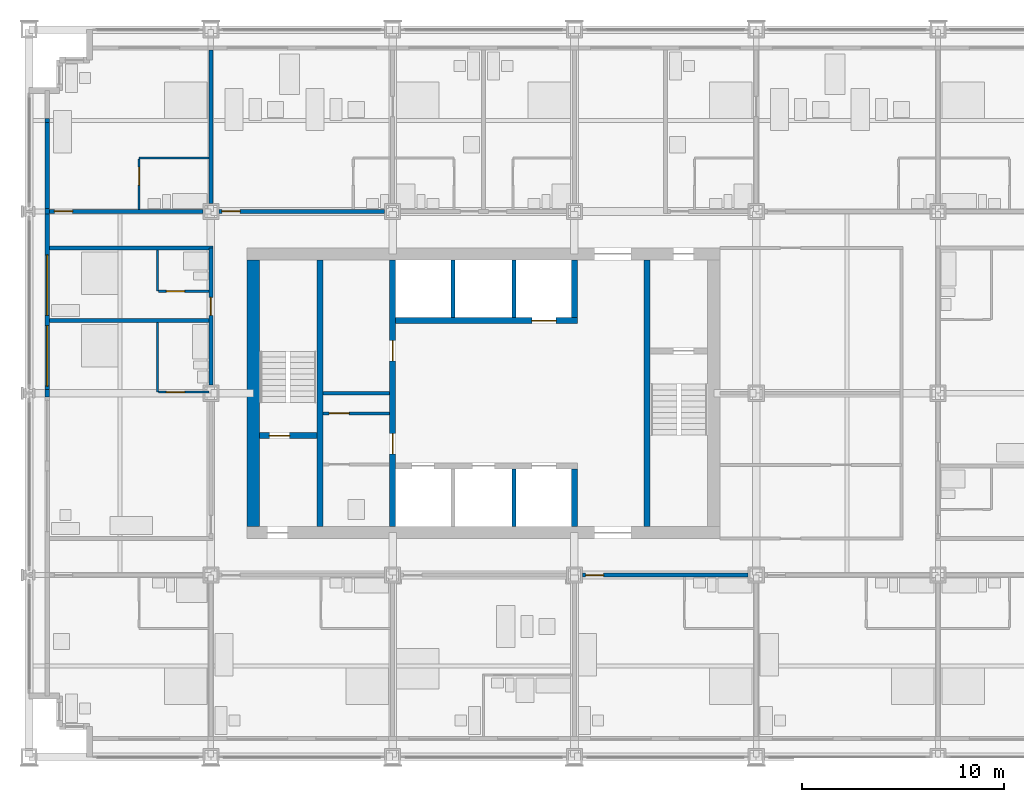
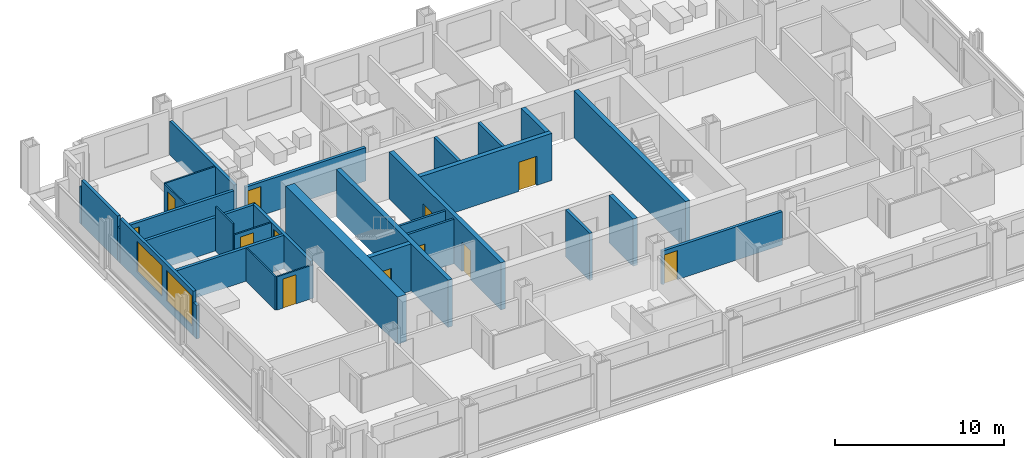
# One storey, part 11 of 18: 31 walls, 12 doors, 2 windows, 14 openings.
"""IFC4 building model written with IfcOpenShell, lengths in metres."""

from ifc_helpers import new_model, si_unit, direction, frame, frame_2d, origin, place, context, subcontext, project, spatial, rectangle, extrude, material, layer, layer_set, type_object, element, fill, save


model = new_model("IFC4")

# Units and contexts
model_context = context("Model", 3, precision=1e-05, world=origin(), true_north=direction((0.0, 1.0)))
body_context = subcontext(model_context, "Body", "Model", "MODEL_VIEW")
ifc_project = project(units=[si_unit("LENGTHUNIT", "METRE"), si_unit("AREAUNIT", "SQUARE_METRE"), si_unit("VOLUMEUNIT", "CUBIC_METRE"), si_unit("PLANEANGLEUNIT", "RADIAN"), si_unit("MASSUNIT", "GRAM", prefix="KILO")], contexts=[model_context])

# Site, building, storey
site_placement = place(None, origin())
site = spatial("IfcSite", under=ifc_project, at=site_placement, CompositionType="ELEMENT")
building_placement = place(site_placement, origin())
building = spatial("IfcBuilding", under=site, at=building_placement, Name="Loomwork Tower", CompositionType="ELEMENT")
storey_placement = place(building_placement, frame((0.0, 0.0, 48.39990234375)))
storey = spatial("IfcBuildingStorey", under=building, at=storey_placement, Name="L11", CompositionType="ELEMENT", Elevation=48.39990234375)

# Wall
ifc_material_1 = material(Name="Concrete 14000 psi (97 MPa)", Category="concrete")
ifc_layer_1 = layer(ifc_material_1, 0.300048828125)
ifc_layer_set_1 = layer_set([ifc_layer_1], Name="Core shear wall 300")
wall_type_1 = type_object("IfcWallType", Name="Core shear wall 300", PredefinedType="SHEAR", material=ifc_layer_set_1)
wall_1_placement = place(storey_placement, frame((14.39990234375, 11.39990234375, 0.0), z_axis=(0.0, 0.0, 1.0), x_axis=(0.0, 1.0, 0.0)))
element("IfcWall", 1, at=wall_1_placement, inside=storey, type_object=wall_type_1, Name="Stair A east wall L11", PredefinedType="SHEAR", context=body_context, shape_type="SweptSolid", body=[
    extrude(rectangle(XDim=13.2001953125, YDim=0.300048828125, at=frame_2d((6.60009765625, 0.0))), origin(), (0.0, 0.0, 1.0), 3.400146484375),
])

# Wall, opening, door
wall_2_placement = place(storey_placement, frame((11.39990234375, 15.89990234375, 0.0), z_axis=(0.0, 0.0, 1.0), x_axis=(1.0, 0.0, 0.0)))
wall_2 = element("IfcWall", 2, at=wall_2_placement, inside=storey, type_object=wall_type_1, Name="Stair A south wall L11", PredefinedType="SHEAR", context=body_context, shape_type="SweptSolid", body=[
    extrude(rectangle(XDim=2.85009765625, YDim=0.300048828125, at=frame_2d((1.425048828125, 0.0))), origin(), (0.0, 0.0, 1.0), 3.400146484375),
])
opening_1_placement = place(wall_2_placement, frame((0.5, 0.0, 0.0)))
opening_1 = element("IfcOpeningElement", 3, at=opening_1_placement, cuts=wall_2, Name="Opening D4", PredefinedType="OPENING", context=body_context, shape_type="SweptSolid", body=[
    extrude(rectangle(XDim=1.0, YDim=2.10009765625, at=frame_2d((0.5, 1.050048828125))), frame((0.0, 0.159912109375, 0.0), z_axis=(0.0, -1.0, 0.0), x_axis=(1.0, 0.0, 0.0)), (0.0, 0.0, 1.0), 0.320068359375),
])
ifc_material_2 = material(Name="Hollow metal door and frame")
door_type_1 = type_object("IfcDoorType", Name="Stair door 1000", OperationType="SINGLE_SWING_RIGHT", PredefinedType="DOOR", material=ifc_material_2)
door_1_placement = place(opening_1_placement, origin())
door_1 = element("IfcDoor", 4, at=door_1_placement, inside=storey, type_object=door_type_1, Name="Stair A door", OperationType="SINGLE_SWING_LEFT", OverallHeight=2.10009765625, OverallWidth=1.0, PredefinedType="DOOR", context=body_context, shape_type="SweptSolid", body=[
    extrude(rectangle(XDim=1.0, YDim=2.10009765625, at=frame_2d((0.5, 1.050048828125))), frame((0.0, 0.02490234375, 0.0), z_axis=(0.0, -1.0, 0.0), x_axis=(1.0, 0.0, 0.0)), (0.0, 0.0, 1.0), 0.050048828125),
])
fill(opening_1, door_1)

# Wall, openings, doors
wall_3_placement = place(storey_placement, frame((18.0, 11.39990234375, 0.0), z_axis=(0.0, 0.0, 1.0), x_axis=(0.0, 1.0, 0.0)))
wall_3 = element("IfcWall", 5, at=wall_3_placement, inside=storey, type_object=wall_type_1, Name="Lobby west wall L11", PredefinedType="SHEAR", context=body_context, shape_type="SweptSolid", body=[
    extrude(rectangle(XDim=13.2001953125, YDim=0.300048828125, at=frame_2d((6.60009765625, 0.0))), origin(), (0.0, 0.0, 1.0), 3.400146484375),
])
opening_2_placement = place(wall_3_placement, frame((3.60009765625, 0.0, 0.0)))
opening_2 = element("IfcOpeningElement", 6, at=opening_2_placement, cuts=wall_3, Name="Opening D5", PredefinedType="OPENING", context=body_context, shape_type="SweptSolid", body=[
    extrude(rectangle(XDim=1.0, YDim=2.10009765625, at=frame_2d((0.5, 1.050048828125))), frame((0.0, 0.159912109375, 0.0), z_axis=(0.0, -1.0, 0.0), x_axis=(1.0, 0.0, 0.0)), (0.0, 0.0, 1.0), 0.320068359375),
])
opening_3_placement = place(wall_3_placement, frame((8.199951171875, 0.0, 0.0)))
opening_3 = element("IfcOpeningElement", 7, at=opening_3_placement, cuts=wall_3, Name="Opening D5", PredefinedType="OPENING", context=body_context, shape_type="SweptSolid", body=[
    extrude(rectangle(XDim=1.0, YDim=2.10009765625, at=frame_2d((0.5, 1.050048828125))), frame((0.0, 0.159912109375, 0.0), z_axis=(0.0, -1.0, 0.0), x_axis=(1.0, 0.0, 0.0)), (0.0, 0.0, 1.0), 0.320068359375),
])
ifc_material_3 = material(Name="Hollow metal door and frame")
door_type_2 = type_object("IfcDoorType", Name="Service door 1000", OperationType="SINGLE_SWING_LEFT", PredefinedType="DOOR", material=ifc_material_3)
door_2_placement = place(opening_2_placement, origin())
door_2 = element("IfcDoor", 8, at=door_2_placement, inside=storey, type_object=door_type_2, Name="Back-of-house door south", OperationType="SINGLE_SWING_LEFT", OverallHeight=2.10009765625, OverallWidth=1.0, PredefinedType="DOOR", context=body_context, shape_type="SweptSolid", body=[
    extrude(rectangle(XDim=1.0, YDim=2.10009765625, at=frame_2d((0.5, 1.050048828125))), frame((0.0, 0.02490234375, 0.0), z_axis=(0.0, -1.0, 0.0), x_axis=(1.0, 0.0, 0.0)), (0.0, 0.0, 1.0), 0.050048828125),
])
fill(opening_2, door_2)
door_3_placement = place(opening_3_placement, origin())
door_3 = element("IfcDoor", 9, at=door_3_placement, inside=storey, type_object=door_type_2, Name="Back-of-house door north", OperationType="SINGLE_SWING_RIGHT", OverallHeight=2.10009765625, OverallWidth=1.0, PredefinedType="DOOR", context=body_context, shape_type="SweptSolid", body=[
    extrude(rectangle(XDim=1.0, YDim=2.10009765625, at=frame_2d((0.5, 1.050048828125))), frame((0.0, 0.02490234375, 0.0), z_axis=(0.0, -1.0, 0.0), x_axis=(1.0, 0.0, 0.0)), (0.0, 0.0, 1.0), 0.050048828125),
])
fill(opening_3, door_3)

# Wall
wall_4_placement = place(storey_placement, frame((27.0, 11.39990234375, 0.0), z_axis=(0.0, 0.0, 1.0), x_axis=(0.0, 1.0, 0.0)))
element("IfcWall", 10, at=wall_4_placement, inside=storey, type_object=wall_type_1, Name="Lift shaft end wall south L11", PredefinedType="SHEAR", context=body_context, shape_type="SweptSolid", body=[
    extrude(rectangle(XDim=2.85009765625, YDim=0.300048828125, at=frame_2d((1.425048828125, 0.0))), origin(), (0.0, 0.0, 1.0), 3.400146484375),
])

# Wall, opening, door
wall_5_placement = place(storey_placement, frame((18.14990234375, 21.60009765625, 0.0), z_axis=(0.0, 0.0, 1.0), x_axis=(1.0, 0.0, 0.0)))
wall_5 = element("IfcWall", 11, at=wall_5_placement, inside=storey, type_object=wall_type_1, Name="Lift front wall north L11", PredefinedType="SHEAR", context=body_context, shape_type="SweptSolid", body=[
    extrude(rectangle(XDim=9.0, YDim=0.300048828125, at=frame_2d((4.5, 0.0))), origin(), (0.0, 0.0, 1.0), 3.400146484375),
])
opening_4_placement = place(wall_5_placement, frame((6.75, 0.0, 0.0)))
opening_4 = element("IfcOpeningElement", 12, at=opening_4_placement, cuts=wall_5, Name="Opening LD2", PredefinedType="OPENING", context=body_context, shape_type="SweptSolid", body=[
    extrude(rectangle(XDim=1.199951171875, YDim=2.10009765625, at=frame_2d((0.60009765625, 1.050048828125))), frame((0.0, 0.159912109375, 0.0), z_axis=(0.0, -1.0, 0.0), x_axis=(1.0, 0.0, 0.0)), (0.0, 0.0, 1.0), 0.320068359375),
])
ifc_material_4 = material(Name="Hollow metal door and frame")
door_type_3 = type_object("IfcDoorType", Name="Lift landing door 1200", OperationType="SLIDING_TO_LEFT", PredefinedType="DOOR", material=ifc_material_4)
door_4_placement = place(opening_4_placement, origin())
door_4 = element("IfcDoor", 13, at=door_4_placement, inside=storey, type_object=door_type_3, Name="Lift landing door LF2", OperationType="SLIDING_TO_LEFT", OverallHeight=2.10009765625, OverallWidth=1.199951171875, PredefinedType="DOOR", context=body_context, shape_type="SweptSolid", body=[
    extrude(rectangle(XDim=1.199951171875, YDim=2.10009765625, at=frame_2d((0.60009765625, 1.050048828125))), frame((0.0, 0.02490234375, 0.0), z_axis=(0.0, -1.0, 0.0), x_axis=(1.0, 0.0, 0.0)), (0.0, 0.0, 1.0), 0.050048828125),
])
fill(opening_4, door_4)

# Walls
wall_6_placement = place(storey_placement, frame((27.0, 21.75, 0.0), z_axis=(0.0, 0.0, 1.0), x_axis=(0.0, 1.0, 0.0)))
element("IfcWall", 14, at=wall_6_placement, inside=storey, type_object=wall_type_1, Name="Lift shaft end wall north L11", PredefinedType="SHEAR", context=body_context, shape_type="SweptSolid", body=[
    extrude(rectangle(XDim=2.85009765625, YDim=0.300048828125, at=frame_2d((1.425048828125, 0.0))), origin(), (0.0, 0.0, 1.0), 3.400146484375),
])
wall_7_placement = place(storey_placement, frame((30.60009765625, 11.39990234375, 0.0), z_axis=(0.0, 0.0, 1.0), x_axis=(0.0, 1.0, 0.0)))
element("IfcWall", 15, at=wall_7_placement, inside=storey, type_object=wall_type_1, Name="Stair B west wall L11", PredefinedType="SHEAR", context=body_context, shape_type="SweptSolid", body=[
    extrude(rectangle(XDim=13.2001953125, YDim=0.300048828125, at=frame_2d((6.60009765625, 0.0))), origin(), (0.0, 0.0, 1.0), 3.400146484375),
])
ifc_material_5 = material(Name="Concrete 14000 psi (97 MPa)", Category="concrete")
ifc_layer_2 = layer(ifc_material_5, 0.60009765625)
ifc_layer_set_2 = layer_set([ifc_layer_2], Name="Core shear wall 600")
wall_type_2 = type_object("IfcWallType", Name="Core shear wall 600", PredefinedType="SHEAR", material=ifc_layer_set_2)
wall_8_placement = place(storey_placement, frame((11.10009765625, 11.39990234375, 0.0), z_axis=(0.0, 0.0, 1.0), x_axis=(0.0, 1.0, 0.0)))
element("IfcWall", 16, at=wall_8_placement, inside=storey, type_object=wall_type_2, Name="Core wall west L11", PredefinedType="SHEAR", context=body_context, shape_type="SweptSolid", body=[
    extrude(rectangle(XDim=13.2001953125, YDim=0.60009765625, at=frame_2d((6.60009765625, 0.0))), origin(), (0.0, 0.0, 1.0), 3.400146484375),
])

# Wall, opening, door
ifc_material_6 = material(Name="Gypsum board on steel studs, one-hour", Category="steel")
ifc_layer_3 = layer(ifc_material_6, 0.199951171875)
ifc_layer_set_3 = layer_set([ifc_layer_3], Name="Corridor wall 200")
wall_type_3 = type_object("IfcWallType", Name="Corridor wall 200", PredefinedType="PARTITIONING", material=ifc_layer_set_3)
wall_9_placement = place(storey_placement, frame((27.39990234375, 9.0, 0.0), z_axis=(0.0, 0.0, 1.0), x_axis=(1.0, 0.0, 0.0)))
wall_9 = element("IfcWall", 17, at=wall_9_placement, inside=storey, type_object=wall_type_3, Name="South corridor wall 4", PredefinedType="PARTITIONING", context=body_context, shape_type="SweptSolid", body=[
    extrude(rectangle(XDim=8.2001953125, YDim=0.199951171875, at=frame_2d((4.10009765625, 0.0))), origin(), (0.0, 0.0, 1.0), 2.405029296875),
])
opening_5_placement = place(wall_9_placement, frame((0.14990234375, 0.0, 0.0)))
opening_5 = element("IfcOpeningElement", 18, at=opening_5_placement, cuts=wall_9, Name="Opening D1", PredefinedType="OPENING", context=body_context, shape_type="SweptSolid", body=[
    extrude(rectangle(XDim=0.89990234375, YDim=2.10009765625, at=frame_2d((0.449951171875, 1.050048828125))), frame((0.0, 0.10986328125, 0.0), z_axis=(0.0, -1.0, 0.0), x_axis=(1.0, 0.0, 0.0)), (0.0, 0.0, 1.0), 0.219970703125),
])
ifc_material_7 = material(Name="Hollow metal door and frame")
door_type_4 = type_object("IfcDoorType", Name="Guest room entry door 900", OperationType="SINGLE_SWING_LEFT", PredefinedType="DOOR", material=ifc_material_7)
door_5_placement = place(opening_5_placement, frame((0.89990234375, 0.0, 0.0), z_axis=(0.0, 0.0, 1.0), x_axis=(-1.0, 0.0, 0.0)))
door_5 = element("IfcDoor", 19, at=door_5_placement, inside=storey, type_object=door_type_4, Name="Guest room entry door L11 4", OperationType="SINGLE_SWING_RIGHT", OverallHeight=2.10009765625, OverallWidth=0.89990234375, PredefinedType="DOOR", context=body_context, shape_type="SweptSolid", body=[
    extrude(rectangle(XDim=0.89990234375, YDim=2.10009765625, at=frame_2d((0.449951171875, 1.050048828125))), frame((0.0, 0.02490234375, 0.0), z_axis=(0.0, -1.0, 0.0), x_axis=(1.0, 0.0, 0.0)), (0.0, 0.0, 1.0), 0.050048828125),
])
fill(opening_5, door_5)

wall_10_placement = place(storey_placement, frame((1.0, 27.0, 0.0), z_axis=(0.0, 0.0, 1.0), x_axis=(1.0, 0.0, 0.0)))
wall_10 = element("IfcWall", 20, at=wall_10_placement, inside=storey, type_object=wall_type_3, Name="North corridor wall 1", PredefinedType="PARTITIONING", context=body_context, shape_type="SweptSolid", body=[
    extrude(rectangle(XDim=7.60009765625, YDim=0.199951171875, at=frame_2d((3.800048828125, 0.0))), origin(), (0.0, 0.0, 1.0), 2.43798828125),
])
opening_6_placement = place(wall_10_placement, frame((0.25, 0.0, 0.0)))
opening_6 = element("IfcOpeningElement", 21, at=opening_6_placement, cuts=wall_10, Name="Opening D1", PredefinedType="OPENING", context=body_context, shape_type="SweptSolid", body=[
    extrude(rectangle(XDim=0.89990234375, YDim=2.10009765625, at=frame_2d((0.449951171875, 1.050048828125))), frame((0.0, 0.10986328125, 0.0), z_axis=(0.0, -1.0, 0.0), x_axis=(1.0, 0.0, 0.0)), (0.0, 0.0, 1.0), 0.219970703125),
])
door_6_placement = place(opening_6_placement, origin())
door_6 = element("IfcDoor", 22, at=door_6_placement, inside=storey, type_object=door_type_4, Name="Guest room entry door L11 7", OperationType="SINGLE_SWING_LEFT", OverallHeight=2.10009765625, OverallWidth=0.89990234375, PredefinedType="DOOR", context=body_context, shape_type="SweptSolid", body=[
    extrude(rectangle(XDim=0.89990234375, YDim=2.10009765625, at=frame_2d((0.449951171875, 1.050048828125))), frame((0.0, 0.02490234375, 0.0), z_axis=(0.0, -1.0, 0.0), x_axis=(1.0, 0.0, 0.0)), (0.0, 0.0, 1.0), 0.050048828125),
])
fill(opening_6, door_6)

wall_11_placement = place(storey_placement, frame((9.39990234375, 27.0, 0.0), z_axis=(0.0, 0.0, 1.0), x_axis=(1.0, 0.0, 0.0)))
wall_11 = element("IfcWall", 23, at=wall_11_placement, inside=storey, type_object=wall_type_3, Name="North corridor wall 2", PredefinedType="PARTITIONING", context=body_context, shape_type="SweptSolid", body=[
    extrude(rectangle(XDim=8.2001953125, YDim=0.199951171875, at=frame_2d((4.10009765625, 0.0))), origin(), (0.0, 0.0, 1.0), 2.405029296875),
])
opening_7_placement = place(wall_11_placement, frame((0.14990234375, 0.0, 0.0)))
opening_7 = element("IfcOpeningElement", 24, at=opening_7_placement, cuts=wall_11, Name="Opening D1", PredefinedType="OPENING", context=body_context, shape_type="SweptSolid", body=[
    extrude(rectangle(XDim=0.89990234375, YDim=2.10009765625, at=frame_2d((0.449951171875, 1.050048828125))), frame((0.0, 0.10986328125, 0.0), z_axis=(0.0, -1.0, 0.0), x_axis=(1.0, 0.0, 0.0)), (0.0, 0.0, 1.0), 0.219970703125),
])
door_7_placement = place(opening_7_placement, origin())
door_7 = element("IfcDoor", 25, at=door_7_placement, inside=storey, type_object=door_type_4, Name="Guest room entry door L11 8", OperationType="SINGLE_SWING_LEFT", OverallHeight=2.10009765625, OverallWidth=0.89990234375, PredefinedType="DOOR", context=body_context, shape_type="SweptSolid", body=[
    extrude(rectangle(XDim=0.89990234375, YDim=2.10009765625, at=frame_2d((0.449951171875, 1.050048828125))), frame((0.0, 0.02490234375, 0.0), z_axis=(0.0, -1.0, 0.0), x_axis=(1.0, 0.0, 0.0)), (0.0, 0.0, 1.0), 0.050048828125),
])
fill(opening_7, door_7)

wall_12_placement = place(storey_placement, frame((9.0, 18.39990234375, 0.0), z_axis=(0.0, 0.0, 1.0), x_axis=(0.0, 1.0, 0.0)))
wall_12 = element("IfcWall", 26, at=wall_12_placement, inside=storey, type_object=wall_type_3, Name="West corridor wall 2", PredefinedType="PARTITIONING", context=body_context, shape_type="SweptSolid", body=[
    extrude(rectangle(XDim=6.800048828125, YDim=0.199951171875, at=frame_2d((3.39990234375, 0.0))), origin(), (0.0, 0.0, 1.0), 2.405029296875),
])
opening_8_placement = place(wall_12_placement, frame((3.449951171875, 0.0, 0.0)))
opening_8 = element("IfcOpeningElement", 27, at=opening_8_placement, cuts=wall_12, Name="Opening D1", PredefinedType="OPENING", context=body_context, shape_type="SweptSolid", body=[
    extrude(rectangle(XDim=0.89990234375, YDim=2.10009765625, at=frame_2d((0.449951171875, 1.050048828125))), frame((0.0, 0.10986328125, 0.0), z_axis=(0.0, -1.0, 0.0), x_axis=(1.0, 0.0, 0.0)), (0.0, 0.0, 1.0), 0.219970703125),
])
door_8_placement = place(opening_8_placement, origin())
door_8 = element("IfcDoor", 28, at=door_8_placement, inside=storey, type_object=door_type_4, Name="Guest room entry door L11 15", OperationType="SINGLE_SWING_LEFT", OverallHeight=2.10009765625, OverallWidth=0.89990234375, PredefinedType="DOOR", context=body_context, shape_type="SweptSolid", body=[
    extrude(rectangle(XDim=0.89990234375, YDim=2.10009765625, at=frame_2d((0.449951171875, 1.050048828125))), frame((0.0, 0.02490234375, 0.0), z_axis=(0.0, -1.0, 0.0), x_axis=(1.0, 0.0, 0.0)), (0.0, 0.0, 1.0), 0.050048828125),
])
fill(opening_8, door_8)

# Walls
wall_13_placement = place(storey_placement, frame((1.0, 25.199951171875, 0.0), z_axis=(0.0, 0.0, 1.0), x_axis=(1.0, 0.0, 0.0)))
element("IfcWall", 29, at=wall_13_placement, inside=storey, type_object=wall_type_3, Name="West band end wall N", PredefinedType="PARTITIONING", context=body_context, shape_type="SweptSolid", body=[
    extrude(rectangle(XDim=8.10009765625, YDim=0.199951171875, at=frame_2d((4.050048828125, 0.0))), origin(), (0.0, 0.0, 1.0), 2.404052734375),
])
ifc_material_8 = material(Name="Cement board on steel studs", Category="steel")
ifc_layer_4 = layer(ifc_material_8, 0.10009765625)
ifc_layer_set_4 = layer_set([ifc_layer_4], Name="En-suite partition 100")
wall_type_4 = type_object("IfcWallType", Name="En-suite partition 100", PredefinedType="PARTITIONING", material=ifc_layer_set_4)
wall_14_placement = place(storey_placement, frame((5.449951171875, 29.64990234375, 0.0), z_axis=(0.0, 0.0, 1.0), x_axis=(1.0, 0.0, 0.0)))
element("IfcWall", 30, at=wall_14_placement, inside=storey, type_object=wall_type_4, Name="En-suite wall L11 room 7", PredefinedType="PARTITIONING", context=body_context, shape_type="SweptSolid", body=[
    extrude(rectangle(XDim=3.449951171875, YDim=0.10009765625, at=frame_2d((1.72509765625, 0.0))), origin(), (0.0, 0.0, 1.0), 2.43798828125),
])

# Wall, opening, door
wall_15_placement = place(storey_placement, frame((5.449951171875, 27.10009765625, 0.0), z_axis=(0.0, 0.0, 1.0), x_axis=(0.0, 1.0, 0.0)))
wall_15 = element("IfcWall", 31, at=wall_15_placement, inside=storey, type_object=wall_type_4, Name="En-suite side wall L11 room 7", PredefinedType="PARTITIONING", context=body_context, shape_type="SweptSolid", body=[
    extrude(rectangle(XDim=2.5, YDim=0.10009765625, at=frame_2d((1.25, 0.0))), origin(), (0.0, 0.0, 1.0), 2.43798828125),
])
opening_9_placement = place(wall_15_placement, frame((1.199951171875, 0.0, 0.0)))
opening_9 = element("IfcOpeningElement", 32, at=opening_9_placement, cuts=wall_15, Name="Opening D2", PredefinedType="OPENING", context=body_context, shape_type="SweptSolid", body=[
    extrude(rectangle(XDim=0.89990234375, YDim=2.10009765625, at=frame_2d((0.449951171875, 1.050048828125))), frame((0.0, 0.06005859375, 0.0), z_axis=(0.0, -1.0, 0.0), x_axis=(1.0, 0.0, 0.0)), (0.0, 0.0, 1.0), 0.1201171875),
])
ifc_material_9 = material(Name="Hollow metal door and frame")
door_type_5 = type_object("IfcDoorType", Name="En-suite door 900", OperationType="SINGLE_SWING_LEFT", PredefinedType="DOOR", material=ifc_material_9)
door_9_placement = place(opening_9_placement, frame((0.89990234375, 0.0, 0.0), z_axis=(0.0, 0.0, 1.0), x_axis=(-1.0, 0.0, 0.0)))
door_9 = element("IfcDoor", 33, at=door_9_placement, inside=storey, type_object=door_type_5, Name="En-suite door room 7", OperationType="SINGLE_SWING_LEFT", OverallHeight=2.10009765625, OverallWidth=0.89990234375, PredefinedType="DOOR", context=body_context, shape_type="SweptSolid", body=[
    extrude(rectangle(XDim=0.89990234375, YDim=2.10009765625, at=frame_2d((0.449951171875, 1.050048828125))), frame((0.0, 0.02490234375, 0.0), z_axis=(0.0, -1.0, 0.0), x_axis=(1.0, 0.0, 0.0)), (0.0, 0.0, 1.0), 0.050048828125),
])
fill(opening_9, door_9)

# Wall
wall_16_placement = place(storey_placement, frame((6.35009765625, 18.050048828125, 0.0), z_axis=(0.0, 0.0, 1.0), x_axis=(0.0, 1.0, 0.0)))
element("IfcWall", 34, at=wall_16_placement, inside=storey, type_object=wall_type_4, Name="En-suite wall L11 room 14", PredefinedType="PARTITIONING", context=body_context, shape_type="SweptSolid", body=[
    extrude(rectangle(XDim=3.449951171875, YDim=0.10009765625, at=frame_2d((1.72509765625, 0.0))), origin(), (0.0, 0.0, 1.0), 2.404052734375),
])

# Wall, opening, door
wall_17_placement = place(storey_placement, frame((8.89990234375, 18.050048828125, 0.0), z_axis=(0.0, 0.0, 1.0), x_axis=(-1.0, 0.0, 0.0)))
wall_17 = element("IfcWall", 35, at=wall_17_placement, inside=storey, type_object=wall_type_4, Name="En-suite side wall L11 room 14", PredefinedType="PARTITIONING", context=body_context, shape_type="SweptSolid", body=[
    extrude(rectangle(XDim=2.5, YDim=0.10009765625, at=frame_2d((1.25, 0.0))), origin(), (0.0, 0.0, 1.0), 2.405029296875),
])
opening_10_placement = place(wall_17_placement, frame((1.199951171875, 0.0, 0.0)))
opening_10 = element("IfcOpeningElement", 36, at=opening_10_placement, cuts=wall_17, Name="Opening D2", PredefinedType="OPENING", context=body_context, shape_type="SweptSolid", body=[
    extrude(rectangle(XDim=0.89990234375, YDim=2.10009765625, at=frame_2d((0.449951171875, 1.050048828125))), frame((0.0, 0.06005859375, 0.0), z_axis=(0.0, -1.0, 0.0), x_axis=(1.0, 0.0, 0.0)), (0.0, 0.0, 1.0), 0.1201171875),
])
door_10_placement = place(opening_10_placement, frame((0.89990234375, 0.0, 0.0), z_axis=(0.0, 0.0, 1.0), x_axis=(-1.0, 0.0, 0.0)))
door_10 = element("IfcDoor", 37, at=door_10_placement, inside=storey, type_object=door_type_5, Name="En-suite door room 14", OperationType="SINGLE_SWING_LEFT", OverallHeight=2.10009765625, OverallWidth=0.89990234375, PredefinedType="DOOR", context=body_context, shape_type="SweptSolid", body=[
    extrude(rectangle(XDim=0.89990234375, YDim=2.10009765625, at=frame_2d((0.449951171875, 1.050048828125))), frame((0.0, 0.02490234375, 0.0), z_axis=(0.0, -1.0, 0.0), x_axis=(1.0, 0.0, 0.0)), (0.0, 0.0, 1.0), 0.050048828125),
])
fill(opening_10, door_10)

# Wall
wall_18_placement = place(storey_placement, frame((6.35009765625, 23.050048828125, 0.0), z_axis=(0.0, 0.0, 1.0), x_axis=(0.0, 1.0, 0.0)))
element("IfcWall", 38, at=wall_18_placement, inside=storey, type_object=wall_type_4, Name="En-suite wall L11 room 15", PredefinedType="PARTITIONING", context=body_context, shape_type="SweptSolid", body=[
    extrude(rectangle(XDim=2.050048828125, YDim=0.10009765625, at=frame_2d((1.02490234375, 0.0))), origin(), (0.0, 0.0, 1.0), 3.2001953125),
])

# Wall, opening, door
wall_19_placement = place(storey_placement, frame((8.89990234375, 23.050048828125, 0.0), z_axis=(0.0, 0.0, 1.0), x_axis=(-1.0, 0.0, 0.0)))
wall_19 = element("IfcWall", 39, at=wall_19_placement, inside=storey, type_object=wall_type_4, Name="En-suite side wall L11 room 15", PredefinedType="PARTITIONING", context=body_context, shape_type="SweptSolid", body=[
    extrude(rectangle(XDim=2.5, YDim=0.10009765625, at=frame_2d((1.25, 0.0))), origin(), (0.0, 0.0, 1.0), 2.404052734375),
])
opening_11_placement = place(wall_19_placement, frame((1.199951171875, 0.0, 0.0)))
opening_11 = element("IfcOpeningElement", 40, at=opening_11_placement, cuts=wall_19, Name="Opening D2", PredefinedType="OPENING", context=body_context, shape_type="SweptSolid", body=[
    extrude(rectangle(XDim=0.89990234375, YDim=2.10009765625, at=frame_2d((0.449951171875, 1.050048828125))), frame((0.0, 0.06005859375, 0.0), z_axis=(0.0, -1.0, 0.0), x_axis=(1.0, 0.0, 0.0)), (0.0, 0.0, 1.0), 0.1201171875),
])
door_11_placement = place(opening_11_placement, frame((0.89990234375, 0.0, 0.0), z_axis=(0.0, 0.0, 1.0), x_axis=(-1.0, 0.0, 0.0)))
door_11 = element("IfcDoor", 41, at=door_11_placement, inside=storey, type_object=door_type_5, Name="En-suite door room 15", OperationType="SINGLE_SWING_LEFT", OverallHeight=2.10009765625, OverallWidth=0.89990234375, PredefinedType="DOOR", context=body_context, shape_type="SweptSolid", body=[
    extrude(rectangle(XDim=0.89990234375, YDim=2.10009765625, at=frame_2d((0.449951171875, 1.050048828125))), frame((0.0, 0.02490234375, 0.0), z_axis=(0.0, -1.0, 0.0), x_axis=(1.0, 0.0, 0.0)), (0.0, 0.0, 1.0), 0.050048828125),
])
fill(opening_11, door_11)

# Walls
ifc_material_10 = material(Name="Gypsum board on steel studs, acoustic", Category="steel")
ifc_layer_5 = layer(ifc_material_10, 0.199951171875)
ifc_layer_set_5 = layer_set([ifc_layer_5], Name="Guest room party wall 200")
wall_type_5 = type_object("IfcWallType", Name="Guest room party wall 200", PredefinedType="PARTITIONING", material=ifc_layer_set_5)
wall_20_placement = place(storey_placement, frame((9.0, 27.39990234375, 0.0), z_axis=(0.0, 0.0, 1.0), x_axis=(0.0, 1.0, 0.0)))
element("IfcWall", 42, at=wall_20_placement, inside=storey, type_object=wall_type_5, Name="Guest room party wall N 9", PredefinedType="PARTITIONING", context=body_context, shape_type="SweptSolid", body=[
    extrude(rectangle(XDim=7.60009765625, YDim=0.199951171875, at=frame_2d((3.800048828125, 0.0))), origin(), (0.0, 0.0, 1.0), 2.43798828125),
])
wall_21_placement = place(storey_placement, frame((8.89990234375, 21.60009765625, 0.0), z_axis=(0.0, 0.0, 1.0), x_axis=(-1.0, 0.0, 0.0)))
element("IfcWall", 43, at=wall_21_placement, inside=storey, type_object=wall_type_5, Name="Guest room party wall W 21.6", PredefinedType="PARTITIONING", context=body_context, shape_type="SweptSolid", body=[
    extrude(rectangle(XDim=7.89990234375, YDim=0.199951171875, at=frame_2d((3.949951171875, 0.0))), origin(), (0.0, 0.0, 1.0), 2.404052734375),
])
ifc_material_11 = material(Name="Insulated steel stud wall with gypsum lining", Category="steel")
ifc_layer_6 = layer(ifc_material_11, 0.199951171875)
ifc_layer_set_6 = layer_set([ifc_layer_6], Name="Inner skin wall 200")
wall_type_6 = type_object("IfcWallType", Name="Inner skin wall 200", PredefinedType="SOLIDWALL", material=ifc_layer_set_6)
wall_22_placement = place(storey_placement, frame((0.89990234375, 17.80615234375, 0.0), z_axis=(0.0, 0.0, 1.0), x_axis=(0.0, 1.0, 0.0)))
element("IfcWall", 44, at=wall_22_placement, inside=storey, type_object=wall_type_6, Name="Inner skin wall W bay 6", PredefinedType="SOLIDWALL", context=body_context, shape_type="SweptSolid", body=[
    extrude(rectangle(XDim=0.3876953125, YDim=0.199951171875, at=frame_2d((0.19384765625, 0.0))), origin(), (0.0, 0.0, 1.0), 2.404052734375),
])

# Wall, openings, windows
wall_23_placement = place(storey_placement, frame((0.89990234375, 18.19384765625, 0.0), z_axis=(0.0, 0.0, 1.0), x_axis=(0.0, 1.0, 0.0)))
wall_23 = element("IfcWall", 45, at=wall_23_placement, inside=storey, type_object=wall_type_6, Name="Inner skin wall W bay 7", PredefinedType="SOLIDWALL", context=body_context, shape_type="SweptSolid", body=[
    extrude(rectangle(XDim=8.6708984375, YDim=0.199951171875, at=frame_2d((4.33544921875, 0.0))), origin(), (0.0, 0.0, 1.0), 3.2001953125),
])
opening_12_placement = place(wall_23_placement, frame((0.15625, 0.0, 0.60009765625)))
opening_12 = element("IfcOpeningElement", 46, at=opening_12_placement, cuts=wall_23, Name="Opening CH1", PredefinedType="OPENING", context=body_context, shape_type="SweptSolid", body=[
    extrude(rectangle(XDim=3.0, YDim=2.199951171875, at=frame_2d((1.5, 1.10009765625))), frame((0.0, 0.10986328125, 0.0), z_axis=(0.0, -1.0, 0.0), x_axis=(1.0, 0.0, 0.0)), (0.0, 0.0, 1.0), 0.219970703125),
])
opening_13_placement = place(wall_23_placement, frame((3.65625, 0.0, 0.60009765625)))
opening_13 = element("IfcOpeningElement", 47, at=opening_13_placement, cuts=wall_23, Name="Opening CH1", PredefinedType="OPENING", context=body_context, shape_type="SweptSolid", body=[
    extrude(rectangle(XDim=3.0, YDim=2.199951171875, at=frame_2d((1.5, 1.10009765625))), frame((0.0, 0.10986328125, 0.0), z_axis=(0.0, -1.0, 0.0), x_axis=(1.0, 0.0, 0.0)), (0.0, 0.0, 1.0), 0.219970703125),
])
ifc_material_12 = material(Name="Aluminium frame with clear insulated glass", Category="aluminium")
window_type = type_object("IfcWindowType", Name="Chicago window 3000", PartitioningType="TRIPLE_PANEL_VERTICAL", PredefinedType="WINDOW", material=ifc_material_12)
window_1_placement = place(opening_12_placement, origin())
window_1 = element("IfcWindow", 48, at=window_1_placement, inside=storey, type_object=window_type, Name="Chicago window L11 bay 14", OverallHeight=2.199951171875, OverallWidth=3.0, PartitioningType="TRIPLE_PANEL_VERTICAL", PredefinedType="WINDOW", context=body_context, shape_type="SweptSolid", body=[
    extrude(rectangle(XDim=3.0, YDim=2.199951171875, at=frame_2d((1.5, 1.10009765625))), frame((0.0, 0.030029296875, 0.0), z_axis=(0.0, -1.0, 0.0), x_axis=(1.0, 0.0, 0.0)), (0.0, 0.0, 1.0), 0.06005859375),
])
fill(opening_12, window_1)
window_2_placement = place(opening_13_placement, origin())
window_2 = element("IfcWindow", 49, at=window_2_placement, inside=storey, type_object=window_type, Name="Chicago window L11 bay 14", OverallHeight=2.199951171875, OverallWidth=3.0, PartitioningType="TRIPLE_PANEL_VERTICAL", PredefinedType="WINDOW", context=body_context, shape_type="SweptSolid", body=[
    extrude(rectangle(XDim=3.0, YDim=2.199951171875, at=frame_2d((1.5, 1.10009765625))), frame((0.0, 0.030029296875, 0.0), z_axis=(0.0, -1.0, 0.0), x_axis=(1.0, 0.0, 0.0)), (0.0, 0.0, 1.0), 0.06005859375),
])
fill(opening_13, window_2)

# Walls
wall_24_placement = place(storey_placement, frame((0.89990234375, 26.86474609375, 0.0), z_axis=(0.0, 0.0, 1.0), x_axis=(0.0, 1.0, 0.0)))
element("IfcWall", 50, at=wall_24_placement, inside=storey, type_object=wall_type_6, Name="Inner skin wall W bay 8", PredefinedType="SOLIDWALL", context=body_context, shape_type="SweptSolid", body=[
    extrude(rectangle(XDim=0.2705078125, YDim=0.199951171875, at=frame_2d((0.13525390625, 0.0))), origin(), (0.0, 0.0, 1.0), 2.43798828125),
])
wall_25_placement = place(storey_placement, frame((0.89990234375, 27.13525390625, 0.0), z_axis=(0.0, 0.0, 1.0), x_axis=(0.0, 1.0, 0.0)))
element("IfcWall", 51, at=wall_25_placement, inside=storey, type_object=wall_type_6, Name="Inner skin wall W bay 9", PredefinedType="SOLIDWALL", context=body_context, shape_type="SweptSolid", body=[
    extrude(rectangle(XDim=4.25732421875, YDim=0.199951171875, at=frame_2d((2.128662109375, 0.0))), origin(), (0.0, 0.0, 1.0), 3.2001953125),
])
wall_26_placement = place(storey_placement, frame((0.89990234375, 31.392578125, 0.0), z_axis=(0.0, 0.0, 1.0), x_axis=(0.0, 1.0, 0.0)))
element("IfcWall", 52, at=wall_26_placement, inside=storey, type_object=wall_type_6, Name="Inner skin wall W bay 10", PredefinedType="SOLIDWALL", context=body_context, shape_type="SweptSolid", body=[
    extrude(rectangle(XDim=0.21484375, YDim=0.199951171875, at=frame_2d((0.107421875, 0.0))), origin(), (0.0, 0.0, 1.0), 2.6611328125),
])
ifc_material_13 = material(Name="Concrete 14000 psi (97 MPa)", Category="concrete")
ifc_layer_7 = layer(ifc_material_13, 0.199951171875)
ifc_layer_set_7 = layer_set([ifc_layer_7], Name="Lift shaft wall 200")
wall_type_7 = type_object("IfcWallType", Name="Lift shaft wall 200", PredefinedType="SHEAR", material=ifc_layer_set_7)
for number, where, z_axis, x_axis, name in (
    (53, (24.0, 11.39990234375, 0.0), (0.0, 0.0, 1.0), (0.0, 1.0, 0.0), "Lift shaft separation wall south 2 L11"),
    (54, (21.0, 21.75, 0.0), (0.0, 0.0, 1.0), (0.0, 1.0, 0.0), "Lift shaft separation wall north 1 L11"),
    (55, (24.0, 21.75, 0.0), (0.0, 0.0, 1.0), (0.0, 1.0, 0.0), "Lift shaft separation wall north 2 L11"),
):
    element("IfcWall", number, at=place(storey_placement, frame(where, z_axis=z_axis, x_axis=x_axis)), inside=storey, type_object=wall_type_7, Name=name, PredefinedType="SHEAR", context=body_context, shape_type="SweptSolid", body=[
        extrude(rectangle(XDim=2.85009765625, YDim=0.199951171875, at=frame_2d((1.425048828125, 0.0))), origin(), (0.0, 0.0, 1.0), 3.400146484375),
    ])
ifc_material_14 = material(Name="Gypsum board on steel studs", Category="steel")
ifc_layer_8 = layer(ifc_material_14, 0.14990234375)
ifc_layer_set_8 = layer_set([ifc_layer_8], Name="Partition 150 two-hour")
wall_type_8 = type_object("IfcWallType", Name="Partition 150 two-hour", PredefinedType="PARTITIONING", material=ifc_layer_set_8)
wall_27_placement = place(storey_placement, frame((14.550048828125, 18.0, 0.0), z_axis=(0.0, 0.0, 1.0), x_axis=(1.0, 0.0, 0.0)))
element("IfcWall", 56, at=wall_27_placement, inside=storey, type_object=wall_type_8, Name="Back-of-house dividing wall L11", PredefinedType="PARTITIONING", context=body_context, shape_type="SweptSolid", body=[
    extrude(rectangle(XDim=3.300048828125, YDim=0.14990234375, at=frame_2d((1.64990234375, 0.0))), origin(), (0.0, 0.0, 1.0), 3.2001953125),
])

# Wall, opening, door
ifc_material_15 = material(Name="Gypsum board on steel studs, one-hour", Category="steel")
ifc_layer_9 = layer(ifc_material_15, 0.14990234375)
ifc_layer_set_9 = layer_set([ifc_layer_9], Name="Service partition 150")
wall_type_9 = type_object("IfcWallType", Name="Service partition 150", PredefinedType="PARTITIONING", material=ifc_layer_set_9)
wall_28_placement = place(storey_placement, frame((14.550048828125, 17.0, 0.0), z_axis=(0.0, 0.0, 1.0), x_axis=(1.0, 0.0, 0.0)))
wall_28 = element("IfcWall", 57, at=wall_28_placement, inside=storey, type_object=wall_type_9, Name="Riser enclosure L11", PredefinedType="PARTITIONING", context=body_context, shape_type="SweptSolid", body=[
    extrude(rectangle(XDim=3.300048828125, YDim=0.14990234375, at=frame_2d((1.64990234375, 0.0))), origin(), (0.0, 0.0, 1.0), 3.2001953125),
])
opening_14_placement = place(wall_28_placement, frame((0.300048828125, 0.0, 0.0)))
opening_14 = element("IfcOpeningElement", 58, at=opening_14_placement, cuts=wall_28, Name="Opening D18", PredefinedType="OPENING", context=body_context, shape_type="SweptSolid", body=[
    extrude(rectangle(XDim=1.0, YDim=2.10009765625, at=frame_2d((0.5, 1.050048828125))), frame((0.0, 0.0849609375, 0.0), z_axis=(0.0, -1.0, 0.0), x_axis=(1.0, 0.0, 0.0)), (0.0, 0.0, 1.0), 0.169921875),
])
ifc_material_16 = material(Name="Hollow metal door and frame")
door_type_6 = type_object("IfcDoorType", Name="Ninety-minute service door 1000", OperationType="SINGLE_SWING_LEFT", PredefinedType="DOOR", material=ifc_material_16)
door_12_placement = place(opening_14_placement, frame((1.0, 0.0, 0.0), z_axis=(0.0, 0.0, 1.0), x_axis=(-1.0, 0.0, 0.0)))
door_12 = element("IfcDoor", 59, at=door_12_placement, inside=storey, type_object=door_type_6, Name="Riser access door", OperationType="SINGLE_SWING_RIGHT", OverallHeight=2.10009765625, OverallWidth=1.0, PredefinedType="DOOR", context=body_context, shape_type="SweptSolid", body=[
    extrude(rectangle(XDim=1.0, YDim=2.10009765625, at=frame_2d((0.5, 1.050048828125))), frame((0.0, 0.02490234375, 0.0), z_axis=(0.0, -1.0, 0.0), x_axis=(1.0, 0.0, 0.0)), (0.0, 0.0, 1.0), 0.050048828125),
])
fill(opening_14, door_12)

save(model, "model.ifc")
